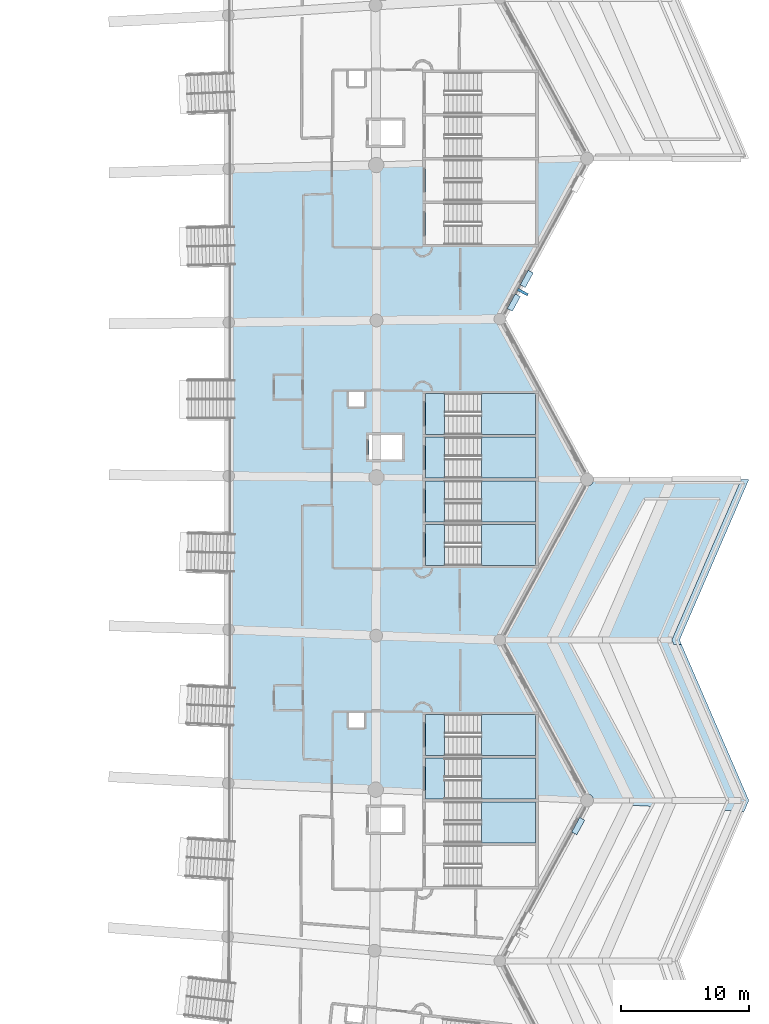
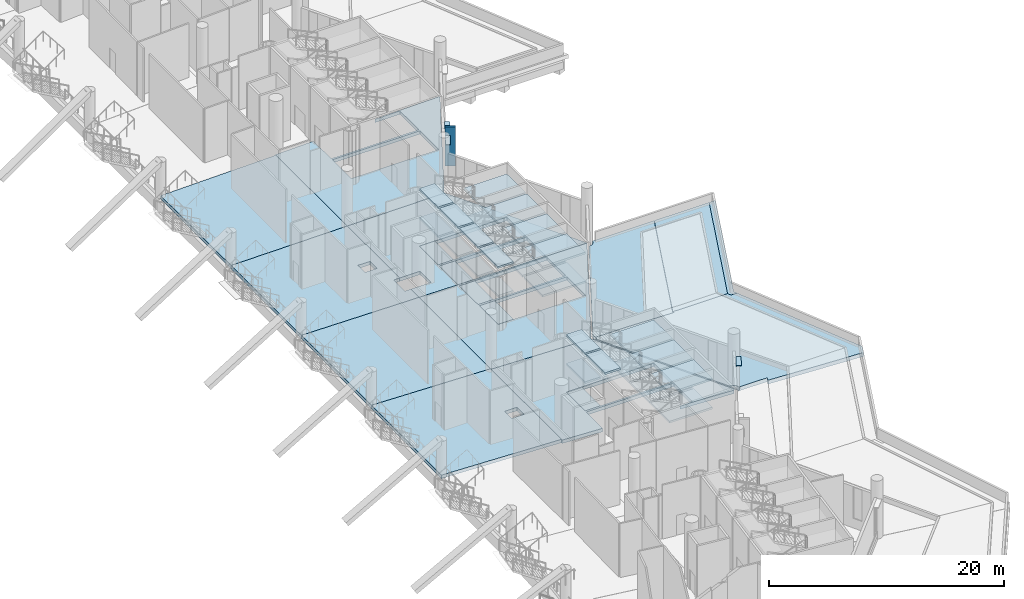
# One storey, part 31 of 173: 42 slabs, 4 plates, 7 elements without a shape of their own.
"""IFC4 building model written with IfcOpenShell, lengths in metres."""

from ifc_helpers import new_model, si_unit, direction, frame, origin, origin_2d, place, context, subcontext, project, spatial, polyline, rectangle, outline, extrude, material, layer, layer_set, type_object, element, aggregate, save


model = new_model("IFC4")

# Units and contexts
model_context = context("Model", 3, precision=1e-05, world=origin(), true_north=direction((0.0, 1.0)))
body_context = subcontext(model_context, "Body", "Model", "MODEL_VIEW")
ifc_project = project(units=[si_unit("LENGTHUNIT", "METRE"), si_unit("AREAUNIT", "SQUARE_METRE"), si_unit("VOLUMEUNIT", "CUBIC_METRE"), si_unit("PLANEANGLEUNIT", "RADIAN"), si_unit("MASSUNIT", "GRAM", prefix="KILO")], contexts=[model_context])

# Site, building, storey
site_placement = place(None, origin())
site = spatial("IfcSite", under=ifc_project, at=site_placement, CompositionType="ELEMENT")
building_placement = place(site_placement, origin())
building = spatial("IfcBuilding", under=site, at=building_placement, Name="Meseta Stadium", CompositionType="ELEMENT")
storey_placement = place(building_placement, frame((0.0, 0.0, 18.0)))
storey = spatial("IfcBuildingStorey", under=building, at=storey_placement, Name="L03", CompositionType="ELEMENT", Elevation=18.0)

# Slabs
ifc_material_1 = material(Name="Concrete C40/50", Category="concrete")
ifc_layer_1 = layer(ifc_material_1, 0.35009765625)
ifc_layer_set_1 = layer_set([ifc_layer_1], Name="Floor slab 350")
slab_type_1 = type_object("IfcSlabType", Name="Floor slab 350", PredefinedType="FLOOR", material=ifc_layer_set_1)
slab_1_placement = place(storey_placement, frame((0.0, 0.0, -0.35009765625)))
element("IfcSlab", 1, at=slab_1_placement, inside=storey, type_object=slab_type_1, Name="Floor slab L03 sector 00 panel 04", PredefinedType="FLOOR", context=body_context, shape_type="SweptSolid", body=[
    extrude(outline(polyline([(84.973388671875, -18.321533203125), (73.482421875, -17.943603515625), (73.473876953125, -21.9306640625), (73.451416015625, -29.904052734375), (84.940673828125, -30.404052734375), (84.973388671875, -18.321533203125)]), holes=[polyline([(82.85009765625, -25.60009765625), (82.85009765625, -24.39990234375), (84.050048828125, -24.39990234375), (84.050048828125, -25.60009765625), (82.85009765625, -25.60009765625)])]), origin(), (0.0, 0.0, 1.0), 0.35009765625),
])
slab_2_placement = place(storey_placement, frame((0.0, 0.0, -0.35009765625)))
element("IfcSlab", 2, at=slab_2_placement, inside=storey, type_object=slab_type_1, Name="Floor slab L03 sector 00 panel 05", PredefinedType="FLOOR", context=body_context, shape_type="SweptSolid", body=[
    extrude(outline(polyline([(84.9970703125, 6.107421875), (73.498046875, 5.981201171875), (73.499755859375, 1.993896484375), (73.498046875, -5.981201171875), (84.99755859375, -6.107421875), (84.99755859375, -4.699951171875), (84.39990234375, -4.699951171875), (84.39990234375, -2.800048828125), (84.997314453125, -2.800048828125), (84.9970703125, 6.107421875)]), holes=[polyline([(82.85009765625, 0.60009765625), (84.050048828125, 0.60009765625), (84.050048828125, -0.60009765625), (82.85009765625, -0.60009765625), (82.85009765625, 0.60009765625)])]), origin(), (0.0, 0.0, 1.0), 0.35009765625),
])
slab_3_placement = place(storey_placement, frame((0.0, 0.0, -0.35009765625)))
element("IfcSlab", 3, at=slab_3_placement, inside=storey, type_object=slab_type_1, Name="Floor slab L03 sector 00 panel 06", PredefinedType="FLOOR", context=body_context, shape_type="SweptSolid", body=[
    extrude(outline(polyline([(84.978515625, 18.24365234375), (73.482421875, 17.943603515625), (73.489501953125, 13.956298828125), (73.498046875, 5.981201171875), (84.9970703125, 6.107421875), (84.978515625, 18.24365234375)])), origin(), (0.0, 0.0, 1.0), 0.35009765625),
])
slab_4_placement = place(storey_placement, frame((0.0, 0.0, -0.35009765625)))
element("IfcSlab", 4, at=slab_4_placement, inside=storey, type_object=slab_type_1, Name="Floor slab L03 sector 00 panel 07", PredefinedType="FLOOR", context=body_context, shape_type="SweptSolid", body=[
    extrude(outline(polyline([(73.49462890625, -9.96875), (73.482421875, -17.943603515625), (84.973388671875, -18.321533203125), (84.99755859375, -6.107421875), (73.498046875, -5.981201171875), (73.49462890625, -9.96875)])), origin(), (0.0, 0.0, 1.0), 0.35009765625),
])
slab_5_placement = place(storey_placement, frame((0.0, 0.0, -0.35009765625)))
element("IfcSlab", 5, at=slab_5_placement, inside=storey, type_object=slab_type_1, Name="Floor slab L03 sector 00 panel 08", PredefinedType="FLOOR", context=body_context, shape_type="SweptSolid", body=[
    extrude(outline(polyline([(84.97314453125, -18.41064453125), (94.60009765625, -18.75), (101.3798828125, -6.287109375), (88.8798828125, -6.14990234375), (88.800048828125, -6.14990234375), (88.800048828125, -6.149169921875), (84.99755859375, -6.107421875), (84.97314453125, -18.41064453125)]), holes=[polyline([(97.39990234375, -9.75), (97.39990234375, -12.949951171875), (88.800048828125, -12.949951171875), (88.800048828125, -9.75), (97.39990234375, -9.75)]), polyline([(97.39990234375, -6.35009765625), (97.39990234375, -9.550048828125), (88.800048828125, -9.550048828125), (88.800048828125, -6.35009765625), (97.39990234375, -6.35009765625)])]), origin(), (0.0, 0.0, 1.0), 0.35009765625),
])
slab_6_placement = place(storey_placement, frame((0.0, 0.0, -0.35009765625)))
element("IfcSlab", 6, at=slab_6_placement, inside=storey, type_object=slab_type_1, Name="Floor slab L03 sector 00 panel 09", PredefinedType="FLOOR", context=body_context, shape_type="SweptSolid", body=[
    extrude(outline(polyline([(96.176025390625, -31.14990234375), (101.301513671875, -31.430908203125), (101.39990234375, -31.25), (94.60009765625, -18.75), (84.97314453125, -18.41064453125), (84.939697265625, -30.533935546875), (88.800048828125, -30.74560546875), (88.800048828125, -27.949951171875), (97.39990234375, -27.949951171875), (97.39990234375, -31.14990234375), (96.176025390625, -31.14990234375)]), holes=[polyline([(97.39990234375, -27.75), (88.800048828125, -27.75), (88.800048828125, -24.550048828125), (97.39990234375, -24.550048828125), (97.39990234375, -27.75)])]), origin(), (0.0, 0.0, 1.0), 0.35009765625),
])
slab_7_placement = place(storey_placement, frame((0.0, 0.0, -0.35009765625)))
element("IfcSlab", 7, at=slab_7_placement, inside=storey, type_object=slab_type_1, Name="Floor slab L03 sector 00 panel 10", PredefinedType="FLOOR", context=body_context, shape_type="SweptSolid", body=[
    extrude(outline(polyline([(84.9970703125, 6.107421875), (94.6201171875, 6.212890625), (94.60009765625, 6.25), (101.39990234375, 18.75), (101.340087890625, 18.85986328125), (94.9599609375, 18.64990234375), (97.39990234375, 18.64990234375), (97.39990234375, 15.449951171875), (88.800048828125, 15.449951171875), (88.800048828125, 18.447509765625), (84.978515625, 18.32177734375), (84.9970703125, 6.107421875)]), holes=[polyline([(97.39990234375, 12.050048828125), (88.800048828125, 12.050048828125), (88.800048828125, 15.25), (97.39990234375, 15.25), (97.39990234375, 12.050048828125)])]), origin(), (0.0, 0.0, 1.0), 0.35009765625),
])
slab_8_placement = place(storey_placement, frame((0.0, 0.0, -0.35009765625)))
element("IfcSlab", 8, at=slab_8_placement, inside=storey, type_object=slab_type_1, Name="Floor slab L03 sector 00 panel 14", PredefinedType="FLOOR", context=body_context, shape_type="SweptSolid", body=[
    extrude(outline(polyline([(88.8798828125, -6.14990234375), (101.3798828125, -6.287109375), (101.39990234375, -6.25), (94.6201171875, 6.212890625), (84.9970703125, 6.107421875), (84.997314453125, -2.800048828125), (87.0, -2.800048828125), (87.0, -4.699951171875), (84.99755859375, -4.699951171875), (84.99755859375, -6.107421875), (88.800048828125, -6.149169921875), (88.800048828125, -2.949951171875), (97.39990234375, -2.949951171875), (97.39990234375, -6.14990234375), (88.8798828125, -6.14990234375)]), holes=[polyline([(97.39990234375, -2.75), (88.800048828125, -2.75), (88.800048828125, 0.449951171875), (97.39990234375, 0.449951171875), (97.39990234375, -2.75)])]), origin(), (0.0, 0.0, 1.0), 0.35009765625),
])

# Plates
ifc_material_2 = material(Name="White precast concrete C40/50", Category="concrete")
ifc_layer_2 = layer(ifc_material_2, 0.080078125)
ifc_layer_set_2 = layer_set([ifc_layer_2], Name="Louvre hood 1300x450")
plate_type_1 = type_object("IfcPlateType", Name="Louvre hood 1300x450", PredefinedType="USERDEFINED", material=ifc_layer_set_2)
for number, where, z_axis, x_axis, name in (
    (9, (100.713623046875, -33.244384765625, 4.25), (0.0, 0.0, 1.0), (0.477867090202, 0.878432151109, 0.0), "Louvre hood L03 F01"),
    (10, (95.696044921875, 7.5322265625, 4.25), (0.0, 0.0, 1.0), (0.477867090202, 0.878432151109, 0.0), "Louvre hood L03 F05"),
    (11, (96.699462890625, 9.376953125, 4.25), (0.0, 0.0, 1.0), (0.477867090202, 0.878432151109, 0.0), "Louvre hood L03 F05"),
):
    element("IfcPlate", number, at=place(storey_placement, frame(where, z_axis=z_axis, x_axis=x_axis)), inside=storey, type_object=plate_type_1, Name=name, ObjectType="LOUVRE", PredefinedType="USERDEFINED", context=body_context, shape_type="SweptSolid", body=[
        extrude(rectangle(XDim=1.300048828125, YDim=0.449951171875, at=origin_2d()), origin(), (0.0, 0.0, 1.0), 0.080078125),
    ])
ifc_material_3 = material(Name="Precast concrete C40/50, terracotta pigment", Category="masonry")
ifc_layer_3 = layer(ifc_material_3, 0.199951171875)
ifc_layer_set_3 = layer_set([ifc_layer_3], Name="Precast concrete C40/50, terracotta pigment")
plate_type_2 = type_object("IfcPlateType", Name="Precast fin 200x900", PredefinedType="USERDEFINED", material=ifc_layer_set_3)
plate_placement = place(storey_placement, frame((96.395263671875, 8.346923828125, 0.9501953125), z_axis=(0.0, 0.0, 1.0), x_axis=(-0.47786723231, -0.878432073802, 0.0)))
element("IfcPlate", 12, at=plate_placement, inside=storey, type_object=plate_type_2, Name="Precast fin L03 F05.2", ObjectType="FIN", PredefinedType="USERDEFINED", context=body_context, shape_type="SweptSolid", body=[
    extrude(rectangle(XDim=0.199951171875, YDim=0.89990234375, at=origin_2d()), origin(), (0.0, 0.0, 1.0), 4.050048828125),
])

# Slabs
ifc_material_4 = material(Name="Concrete C40/50", Category="concrete")
ifc_layer_4 = layer(ifc_material_4, 0.39990234375)
ifc_layer_set_4 = layer_set([ifc_layer_4], Name="Roof garden slab 400")
slab_type_2 = type_object("IfcSlabType", Name="Roof garden slab 400", PredefinedType="ROOF", material=ifc_layer_set_4)
slab_9_placement = place(storey_placement, frame((0.0, 0.0, -0.39990234375)))
element("IfcSlab", 13, at=slab_9_placement, inside=storey, type_object=slab_type_2, Name="Roof garden slab 8 part 2 panel 02", PredefinedType="ROOF", context=body_context, shape_type="SweptSolid", body=[
    extrude(outline(polyline([(98.0, -18.75), (102.666259765625, -18.903564453125), (102.60009765625, -18.75), (108.0, -6.25), (101.904296875, -6.25), (101.88720703125, -6.380615234375), (101.836669921875, -6.502197265625), (101.756591796875, -6.606689453125), (101.652099609375, -6.686767578125), (101.530517578125, -6.737060546875), (101.39990234375, -6.75439453125), (101.30322265625, -6.74169921875), (94.935302734375, -18.44775390625), (94.9931640625, -18.523193359375), (95.038330078125, -18.632568359375), (95.053955078125, -18.75), (98.0, -18.75)])), origin(), (0.0, 0.0, 1.0), 0.39990234375),
])
slab_10_placement = place(storey_placement, frame((0.0, 0.0, -0.39990234375)))
element("IfcSlab", 14, at=slab_10_placement, inside=storey, type_object=slab_type_2, Name="Roof garden slab 8 part 2 panel 04", PredefinedType="ROOF", context=body_context, shape_type="SweptSolid", body=[
    extrude(outline(polyline([(102.60009765625, -18.75), (102.666259765625, -18.903564453125), (98.0, -18.75), (95.053955078125, -18.75), (95.038330078125, -18.867431640625), (94.9931640625, -18.976806640625), (94.935302734375, -19.05224609375), (101.30322265625, -30.75830078125), (101.39990234375, -30.74560546875), (101.530517578125, -30.762939453125), (101.652099609375, -30.813232421875), (101.756591796875, -30.893310546875), (101.836669921875, -30.997802734375), (101.88720703125, -31.119384765625), (101.904296875, -31.25), (104.699951171875, -31.25), (104.525390625, -31.60791015625), (113.6298828125, -32.10693359375), (114.0, -31.25), (108.752685546875, -19.103759765625), (108.144287109375, -19.083740234375), (108.0, -18.75), (102.60009765625, -18.75)])), origin(), (0.0, 0.0, 1.0), 0.39990234375),
])
slab_11_placement = place(storey_placement, frame((0.0, 0.0, -0.39990234375)))
element("IfcSlab", 15, at=slab_11_placement, inside=storey, type_object=slab_type_2, Name="Roof garden slab 8 part 2 panel 06", PredefinedType="ROOF", context=body_context, shape_type="SweptSolid", body=[
    extrude(outline(polyline([(113.39990234375, -6.25), (108.011962890625, -6.25), (108.011962890625, -6.251220703125), (108.01171875, -6.25244140625), (108.011474609375, -6.253662109375), (108.010986328125, -6.2548828125), (102.613037109375, -18.75), (108.0, -18.75), (113.39990234375, -6.25)])), origin(), (0.0, 0.0, 1.0), 0.39990234375),
])
slab_12_placement = place(storey_placement, frame((0.0, 0.0, -0.39990234375)))
element("IfcSlab", 16, at=slab_12_placement, inside=storey, type_object=slab_type_2, Name="Roof garden slab 8 part 2 panel 07", PredefinedType="ROOF", context=body_context, shape_type="SweptSolid", body=[
    extrude(outline(polyline([(108.0, -18.75), (108.144287109375, -19.083740234375), (108.752685546875, -19.103759765625), (108.60009765625, -18.75), (114.0, -6.25), (113.39990234375, -6.25), (108.0, -18.75)])), origin(), (0.0, 0.0, 1.0), 0.39990234375),
])

# Stair, slabs
ifc_material_5 = material(Name="Concrete C40/50", Category="concrete")
stair_type = type_object("IfcStairType", Name="Exit stair 4 flights 150 mm risers", PredefinedType="HALF_TURN_STAIR", material=ifc_material_5)
stair_1_placement = place(storey_placement, origin())
stair_1 = element("IfcStair", 17, at=stair_1_placement, inside=storey, type_object=stair_type, Name="ST6 L03", PredefinedType="HALF_TURN_STAIR")
ifc_material_6 = material(Name="Concrete C40/50", Category="concrete")
ifc_layer_5 = layer(ifc_material_6, 0.199951171875)
ifc_layer_set_5 = layer_set([ifc_layer_5], Name="Stair landing 200")
slab_type_3 = type_object("IfcSlabType", Name="Stair landing 200", PredefinedType="LANDING", material=ifc_layer_set_5)
slab_13_placement = place(storey_placement, frame((0.0, 0.0, 1.300048828125)))
slab_13 = element("IfcSlab", 18, at=slab_13_placement, type_object=slab_type_3, Name="ST6 L03 landing 1", PredefinedType="LANDING", context=body_context, shape_type="SweptSolid", body=[
    extrude(outline(polyline([(93.169921875, -34.550048828125), (97.39990234375, -34.550048828125), (97.39990234375, -31.35009765625), (93.169921875, -31.35009765625), (93.169921875, -34.550048828125)])), origin(), (0.0, 0.0, 1.0), 0.199951171875),
])
slab_14_placement = place(storey_placement, frame((0.0, 0.0, 4.300048828125)))
slab_14 = element("IfcSlab", 19, at=slab_14_placement, type_object=slab_type_3, Name="ST6 L03 landing 3", PredefinedType="LANDING", context=body_context, shape_type="SweptSolid", body=[
    extrude(outline(polyline([(93.169921875, -34.550048828125), (97.39990234375, -34.550048828125), (97.39990234375, -31.35009765625), (93.169921875, -31.35009765625), (93.169921875, -34.550048828125)])), origin(), (0.0, 0.0, 1.0), 0.199951171875),
])
aggregate(stair_1, [slab_13, slab_14])

stair_2_placement = place(storey_placement, origin())
stair_2 = element("IfcStair", 20, at=stair_2_placement, inside=storey, type_object=stair_type, Name="ST7 L03", PredefinedType="HALF_TURN_STAIR")
slab_15_placement = place(storey_placement, frame((0.0, 0.0, 1.300048828125)))
slab_15 = element("IfcSlab", 21, at=slab_15_placement, type_object=slab_type_3, Name="ST7 L03 landing 1", PredefinedType="LANDING", context=body_context, shape_type="SweptSolid", body=[
    extrude(outline(polyline([(93.169921875, -31.14990234375), (97.39990234375, -31.14990234375), (97.39990234375, -27.949951171875), (93.169921875, -27.949951171875), (93.169921875, -31.14990234375)])), origin(), (0.0, 0.0, 1.0), 0.199951171875),
])
slab_16_placement = place(storey_placement, frame((0.0, 0.0, 4.300048828125)))
slab_16 = element("IfcSlab", 22, at=slab_16_placement, type_object=slab_type_3, Name="ST7 L03 landing 3", PredefinedType="LANDING", context=body_context, shape_type="SweptSolid", body=[
    extrude(outline(polyline([(93.169921875, -31.14990234375), (97.39990234375, -31.14990234375), (97.39990234375, -27.949951171875), (93.169921875, -27.949951171875), (93.169921875, -31.14990234375)])), origin(), (0.0, 0.0, 1.0), 0.199951171875),
])
slab_17_placement = place(storey_placement, frame((0.0, 0.0, 5.800048828125)))
slab_17 = element("IfcSlab", 23, at=slab_17_placement, type_object=slab_type_3, Name="ST7 L03 landing 5", PredefinedType="LANDING", context=body_context, shape_type="SweptSolid", body=[
    extrude(outline(polyline([(88.800048828125, -31.14990234375), (90.31005859375, -31.14990234375), (90.31005859375, -27.949951171875), (88.800048828125, -27.949951171875), (88.800048828125, -31.14990234375)])), origin(), (0.0, 0.0, 1.0), 0.199951171875),
])
aggregate(stair_2, [slab_15, slab_16, slab_17])

stair_3_placement = place(storey_placement, origin())
stair_3 = element("IfcStair", 24, at=stair_3_placement, inside=storey, type_object=stair_type, Name="ST8 L03", PredefinedType="HALF_TURN_STAIR")
slab_18_placement = place(storey_placement, frame((0.0, 0.0, 1.300048828125)))
slab_18 = element("IfcSlab", 25, at=slab_18_placement, type_object=slab_type_3, Name="ST8 L03 landing 1", PredefinedType="LANDING", context=body_context, shape_type="SweptSolid", body=[
    extrude(outline(polyline([(93.169921875, -27.75), (97.39990234375, -27.75), (97.39990234375, -24.550048828125), (93.169921875, -24.550048828125), (93.169921875, -27.75)])), origin(), (0.0, 0.0, 1.0), 0.199951171875),
])
slab_19_placement = place(storey_placement, frame((0.0, 0.0, 2.800048828125)))
slab_19 = element("IfcSlab", 26, at=slab_19_placement, type_object=slab_type_3, Name="ST8 L03 landing 2", PredefinedType="LANDING", context=body_context, shape_type="SweptSolid", body=[
    extrude(outline(polyline([(88.800048828125, -27.75), (90.31005859375, -27.75), (90.31005859375, -24.550048828125), (88.800048828125, -24.550048828125), (88.800048828125, -27.75)])), origin(), (0.0, 0.0, 1.0), 0.199951171875),
])
slab_20_placement = place(storey_placement, frame((0.0, 0.0, 4.300048828125)))
slab_20 = element("IfcSlab", 27, at=slab_20_placement, type_object=slab_type_3, Name="ST8 L03 landing 3", PredefinedType="LANDING", context=body_context, shape_type="SweptSolid", body=[
    extrude(outline(polyline([(93.169921875, -27.75), (97.39990234375, -27.75), (97.39990234375, -24.550048828125), (93.169921875, -24.550048828125), (93.169921875, -27.75)])), origin(), (0.0, 0.0, 1.0), 0.199951171875),
])
slab_21_placement = place(storey_placement, frame((0.0, 0.0, -0.199951171875)))
slab_21 = element("IfcSlab", 28, at=slab_21_placement, type_object=slab_type_3, Name="ST8 L03 landing 4", PredefinedType="LANDING", context=body_context, shape_type="SweptSolid", body=[
    extrude(outline(polyline([(88.800048828125, -27.75), (90.31005859375, -27.75), (90.31005859375, -24.550048828125), (88.800048828125, -24.550048828125), (88.800048828125, -27.75)])), origin(), (0.0, 0.0, 1.0), 0.199951171875),
])
slab_22_placement = place(storey_placement, frame((0.0, 0.0, 5.800048828125)))
slab_22 = element("IfcSlab", 29, at=slab_22_placement, type_object=slab_type_3, Name="ST8 L03 landing 5", PredefinedType="LANDING", context=body_context, shape_type="SweptSolid", body=[
    extrude(outline(polyline([(88.800048828125, -27.75), (90.31005859375, -27.75), (90.31005859375, -24.550048828125), (88.800048828125, -24.550048828125), (88.800048828125, -27.75)])), origin(), (0.0, 0.0, 1.0), 0.199951171875),
])
aggregate(stair_3, [slab_18, slab_19, slab_20, slab_21, slab_22])

stair_4_placement = place(storey_placement, origin())
stair_4 = element("IfcStair", 30, at=stair_4_placement, inside=storey, type_object=stair_type, Name="ST9 L03", PredefinedType="HALF_TURN_STAIR")
slab_23_placement = place(storey_placement, frame((0.0, 0.0, 1.300048828125)))
slab_23 = element("IfcSlab", 31, at=slab_23_placement, type_object=slab_type_3, Name="ST9 L03 landing 1", PredefinedType="LANDING", context=body_context, shape_type="SweptSolid", body=[
    extrude(outline(polyline([(93.169921875, -12.949951171875), (97.39990234375, -12.949951171875), (97.39990234375, -9.75), (93.169921875, -9.75), (93.169921875, -12.949951171875)])), origin(), (0.0, 0.0, 1.0), 0.199951171875),
])
slab_24_placement = place(storey_placement, frame((0.0, 0.0, 2.800048828125)))
slab_24 = element("IfcSlab", 32, at=slab_24_placement, type_object=slab_type_3, Name="ST9 L03 landing 2", PredefinedType="LANDING", context=body_context, shape_type="SweptSolid", body=[
    extrude(outline(polyline([(88.800048828125, -12.949951171875), (90.31005859375, -12.949951171875), (90.31005859375, -9.75), (88.800048828125, -9.75), (88.800048828125, -12.949951171875)])), origin(), (0.0, 0.0, 1.0), 0.199951171875),
])
slab_25_placement = place(storey_placement, frame((0.0, 0.0, 4.300048828125)))
slab_25 = element("IfcSlab", 33, at=slab_25_placement, type_object=slab_type_3, Name="ST9 L03 landing 3", PredefinedType="LANDING", context=body_context, shape_type="SweptSolid", body=[
    extrude(outline(polyline([(93.169921875, -12.949951171875), (97.39990234375, -12.949951171875), (97.39990234375, -9.75), (93.169921875, -9.75), (93.169921875, -12.949951171875)])), origin(), (0.0, 0.0, 1.0), 0.199951171875),
])
slab_26_placement = place(storey_placement, frame((0.0, 0.0, -0.199951171875)))
slab_26 = element("IfcSlab", 34, at=slab_26_placement, type_object=slab_type_3, Name="ST9 L03 landing 4", PredefinedType="LANDING", context=body_context, shape_type="SweptSolid", body=[
    extrude(outline(polyline([(88.800048828125, -12.949951171875), (90.31005859375, -12.949951171875), (90.31005859375, -9.75), (88.800048828125, -9.75), (88.800048828125, -12.949951171875)])), origin(), (0.0, 0.0, 1.0), 0.199951171875),
])
slab_27_placement = place(storey_placement, frame((0.0, 0.0, 5.800048828125)))
slab_27 = element("IfcSlab", 35, at=slab_27_placement, type_object=slab_type_3, Name="ST9 L03 landing 5", PredefinedType="LANDING", context=body_context, shape_type="SweptSolid", body=[
    extrude(outline(polyline([(88.800048828125, -12.949951171875), (90.31005859375, -12.949951171875), (90.31005859375, -9.75), (88.800048828125, -9.75), (88.800048828125, -12.949951171875)])), origin(), (0.0, 0.0, 1.0), 0.199951171875),
])
aggregate(stair_4, [slab_23, slab_24, slab_25, slab_26, slab_27])

stair_5_placement = place(storey_placement, origin())
stair_5 = element("IfcStair", 36, at=stair_5_placement, inside=storey, type_object=stair_type, Name="ST10 L03", PredefinedType="HALF_TURN_STAIR")
slab_28_placement = place(storey_placement, frame((0.0, 0.0, 1.300048828125)))
slab_28 = element("IfcSlab", 37, at=slab_28_placement, type_object=slab_type_3, Name="ST10 L03 landing 1", PredefinedType="LANDING", context=body_context, shape_type="SweptSolid", body=[
    extrude(outline(polyline([(93.169921875, -9.550048828125), (97.39990234375, -9.550048828125), (97.39990234375, -6.35009765625), (93.169921875, -6.35009765625), (93.169921875, -9.550048828125)])), origin(), (0.0, 0.0, 1.0), 0.199951171875),
])
slab_29_placement = place(storey_placement, frame((0.0, 0.0, 2.800048828125)))
slab_29 = element("IfcSlab", 38, at=slab_29_placement, type_object=slab_type_3, Name="ST10 L03 landing 2", PredefinedType="LANDING", context=body_context, shape_type="SweptSolid", body=[
    extrude(outline(polyline([(88.800048828125, -9.550048828125), (90.31005859375, -9.550048828125), (90.31005859375, -6.35009765625), (88.800048828125, -6.35009765625), (88.800048828125, -9.550048828125)])), origin(), (0.0, 0.0, 1.0), 0.199951171875),
])
slab_30_placement = place(storey_placement, frame((0.0, 0.0, 4.300048828125)))
slab_30 = element("IfcSlab", 39, at=slab_30_placement, type_object=slab_type_3, Name="ST10 L03 landing 3", PredefinedType="LANDING", context=body_context, shape_type="SweptSolid", body=[
    extrude(outline(polyline([(93.169921875, -9.550048828125), (97.39990234375, -9.550048828125), (97.39990234375, -6.35009765625), (93.169921875, -6.35009765625), (93.169921875, -9.550048828125)])), origin(), (0.0, 0.0, 1.0), 0.199951171875),
])
slab_31_placement = place(storey_placement, frame((0.0, 0.0, -0.199951171875)))
slab_31 = element("IfcSlab", 40, at=slab_31_placement, type_object=slab_type_3, Name="ST10 L03 landing 4", PredefinedType="LANDING", context=body_context, shape_type="SweptSolid", body=[
    extrude(outline(polyline([(88.800048828125, -9.550048828125), (90.31005859375, -9.550048828125), (90.31005859375, -6.35009765625), (88.800048828125, -6.35009765625), (88.800048828125, -9.550048828125)])), origin(), (0.0, 0.0, 1.0), 0.199951171875),
])
slab_32_placement = place(storey_placement, frame((0.0, 0.0, 5.800048828125)))
slab_32 = element("IfcSlab", 41, at=slab_32_placement, type_object=slab_type_3, Name="ST10 L03 landing 5", PredefinedType="LANDING", context=body_context, shape_type="SweptSolid", body=[
    extrude(outline(polyline([(88.800048828125, -9.550048828125), (90.31005859375, -9.550048828125), (90.31005859375, -6.35009765625), (88.800048828125, -6.35009765625), (88.800048828125, -9.550048828125)])), origin(), (0.0, 0.0, 1.0), 0.199951171875),
])
aggregate(stair_5, [slab_28, slab_29, slab_30, slab_31, slab_32])

stair_6_placement = place(storey_placement, origin())
stair_6 = element("IfcStair", 42, at=stair_6_placement, inside=storey, type_object=stair_type, Name="ST11 L03", PredefinedType="HALF_TURN_STAIR")
slab_33_placement = place(storey_placement, frame((0.0, 0.0, 1.300048828125)))
slab_33 = element("IfcSlab", 43, at=slab_33_placement, type_object=slab_type_3, Name="ST11 L03 landing 1", PredefinedType="LANDING", context=body_context, shape_type="SweptSolid", body=[
    extrude(outline(polyline([(93.169921875, -6.14990234375), (97.39990234375, -6.14990234375), (97.39990234375, -2.949951171875), (93.169921875, -2.949951171875), (93.169921875, -6.14990234375)])), origin(), (0.0, 0.0, 1.0), 0.199951171875),
])
slab_34_placement = place(storey_placement, frame((0.0, 0.0, 2.800048828125)))
slab_34 = element("IfcSlab", 44, at=slab_34_placement, type_object=slab_type_3, Name="ST11 L03 landing 2", PredefinedType="LANDING", context=body_context, shape_type="SweptSolid", body=[
    extrude(outline(polyline([(88.800048828125, -6.14990234375), (90.31005859375, -6.14990234375), (90.31005859375, -2.949951171875), (88.800048828125, -2.949951171875), (88.800048828125, -6.14990234375)])), origin(), (0.0, 0.0, 1.0), 0.199951171875),
])
slab_35_placement = place(storey_placement, frame((0.0, 0.0, 4.300048828125)))
slab_35 = element("IfcSlab", 45, at=slab_35_placement, type_object=slab_type_3, Name="ST11 L03 landing 3", PredefinedType="LANDING", context=body_context, shape_type="SweptSolid", body=[
    extrude(outline(polyline([(93.169921875, -6.14990234375), (97.39990234375, -6.14990234375), (97.39990234375, -2.949951171875), (93.169921875, -2.949951171875), (93.169921875, -6.14990234375)])), origin(), (0.0, 0.0, 1.0), 0.199951171875),
])
slab_36_placement = place(storey_placement, frame((0.0, 0.0, -0.199951171875)))
slab_36 = element("IfcSlab", 46, at=slab_36_placement, type_object=slab_type_3, Name="ST11 L03 landing 4", PredefinedType="LANDING", context=body_context, shape_type="SweptSolid", body=[
    extrude(outline(polyline([(88.800048828125, -6.14990234375), (90.31005859375, -6.14990234375), (90.31005859375, -2.949951171875), (88.800048828125, -2.949951171875), (88.800048828125, -6.14990234375)])), origin(), (0.0, 0.0, 1.0), 0.199951171875),
])
slab_37_placement = place(storey_placement, frame((0.0, 0.0, 5.800048828125)))
slab_37 = element("IfcSlab", 47, at=slab_37_placement, type_object=slab_type_3, Name="ST11 L03 landing 5", PredefinedType="LANDING", context=body_context, shape_type="SweptSolid", body=[
    extrude(outline(polyline([(88.800048828125, -6.14990234375), (90.31005859375, -6.14990234375), (90.31005859375, -2.949951171875), (88.800048828125, -2.949951171875), (88.800048828125, -6.14990234375)])), origin(), (0.0, 0.0, 1.0), 0.199951171875),
])
aggregate(stair_6, [slab_33, slab_34, slab_35, slab_36, slab_37])

stair_7_placement = place(storey_placement, origin())
stair_7 = element("IfcStair", 48, at=stair_7_placement, inside=storey, type_object=stair_type, Name="ST12 L03", PredefinedType="HALF_TURN_STAIR")
slab_38_placement = place(storey_placement, frame((0.0, 0.0, 1.300048828125)))
slab_38 = element("IfcSlab", 49, at=slab_38_placement, type_object=slab_type_3, Name="ST12 L03 landing 1", PredefinedType="LANDING", context=body_context, shape_type="SweptSolid", body=[
    extrude(outline(polyline([(93.169921875, -2.75), (97.39990234375, -2.75), (97.39990234375, 0.449951171875), (93.169921875, 0.449951171875), (93.169921875, -2.75)])), origin(), (0.0, 0.0, 1.0), 0.199951171875),
])
slab_39_placement = place(storey_placement, frame((0.0, 0.0, 2.800048828125)))
slab_39 = element("IfcSlab", 50, at=slab_39_placement, type_object=slab_type_3, Name="ST12 L03 landing 2", PredefinedType="LANDING", context=body_context, shape_type="SweptSolid", body=[
    extrude(outline(polyline([(88.800048828125, -2.75), (90.31005859375, -2.75), (90.31005859375, 0.449951171875), (88.800048828125, 0.449951171875), (88.800048828125, -2.75)])), origin(), (0.0, 0.0, 1.0), 0.199951171875),
])
slab_40_placement = place(storey_placement, frame((0.0, 0.0, 4.300048828125)))
slab_40 = element("IfcSlab", 51, at=slab_40_placement, type_object=slab_type_3, Name="ST12 L03 landing 3", PredefinedType="LANDING", context=body_context, shape_type="SweptSolid", body=[
    extrude(outline(polyline([(93.169921875, -2.75), (97.39990234375, -2.75), (97.39990234375, 0.449951171875), (93.169921875, 0.449951171875), (93.169921875, -2.75)])), origin(), (0.0, 0.0, 1.0), 0.199951171875),
])
slab_41_placement = place(storey_placement, frame((0.0, 0.0, -0.199951171875)))
slab_41 = element("IfcSlab", 52, at=slab_41_placement, type_object=slab_type_3, Name="ST12 L03 landing 4", PredefinedType="LANDING", context=body_context, shape_type="SweptSolid", body=[
    extrude(outline(polyline([(88.800048828125, -2.75), (90.31005859375, -2.75), (90.31005859375, 0.449951171875), (88.800048828125, 0.449951171875), (88.800048828125, -2.75)])), origin(), (0.0, 0.0, 1.0), 0.199951171875),
])
slab_42_placement = place(storey_placement, frame((0.0, 0.0, 5.800048828125)))
slab_42 = element("IfcSlab", 53, at=slab_42_placement, type_object=slab_type_3, Name="ST12 L03 landing 5", PredefinedType="LANDING", context=body_context, shape_type="SweptSolid", body=[
    extrude(outline(polyline([(88.800048828125, -2.75), (90.31005859375, -2.75), (90.31005859375, 0.449951171875), (88.800048828125, 0.449951171875), (88.800048828125, -2.75)])), origin(), (0.0, 0.0, 1.0), 0.199951171875),
])
aggregate(stair_7, [slab_38, slab_39, slab_40, slab_41, slab_42])

save(model, "model.ifc")
